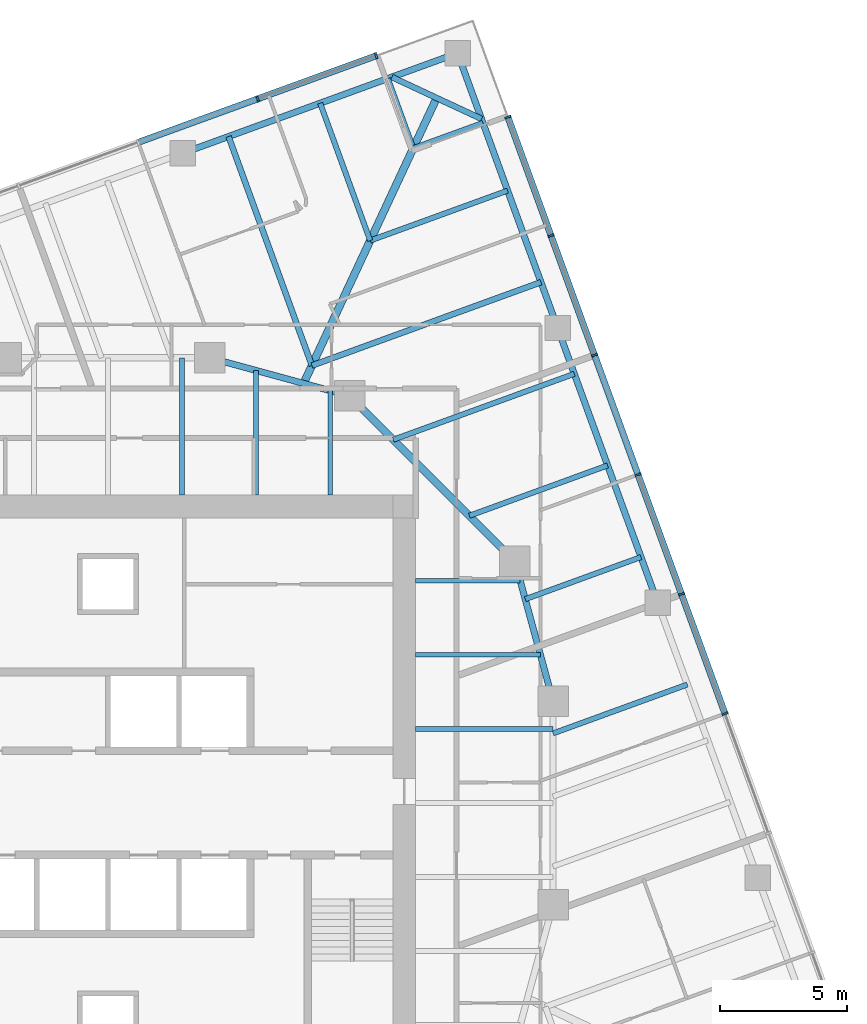
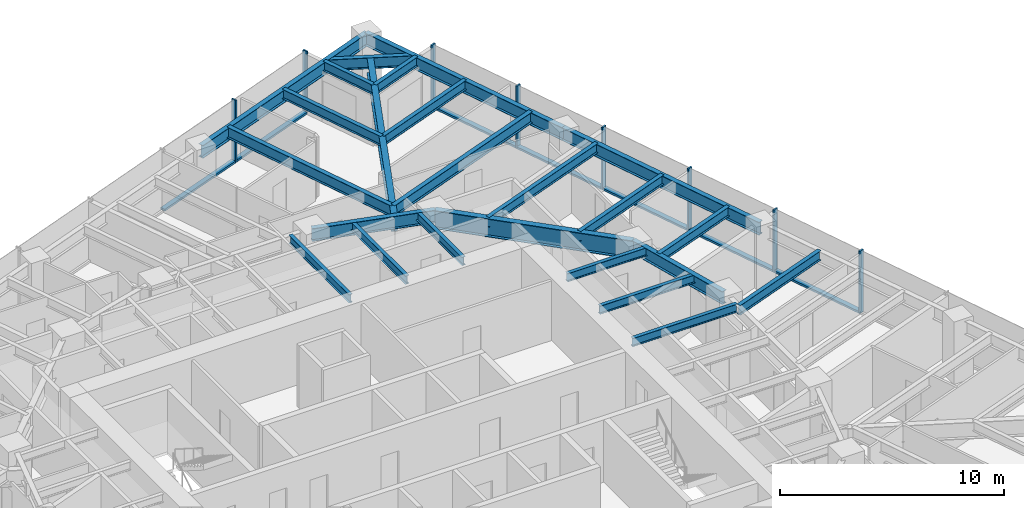
# One storey, part 5 of 13: 24 beams, 15 members, 2 elements without a shape of their own.
"""IFC4 building model written with IfcOpenShell, lengths in metres."""

from ifc_helpers import new_model, si_unit, direction, frame, origin, origin_2d, place, context, subcontext, project, spatial, rectangle, i_section, extrude, material, material_profile, profile_set, type_object, element, aggregate, save


model = new_model("IFC4")

# Units and contexts
model_context = context("Model", 3, precision=1e-05, world=origin(), true_north=direction((0.0, 1.0)))
body_context = subcontext(model_context, "Body", "Model", "MODEL_VIEW")
ifc_project = project(units=[si_unit("LENGTHUNIT", "METRE"), si_unit("AREAUNIT", "SQUARE_METRE"), si_unit("VOLUMEUNIT", "CUBIC_METRE"), si_unit("PLANEANGLEUNIT", "RADIAN"), si_unit("MASSUNIT", "GRAM", prefix="KILO")], contexts=[model_context])

# Site, building, storey
site_placement = place(None, origin())
site = spatial("IfcSite", under=ifc_project, at=site_placement, CompositionType="ELEMENT")
building_placement = place(site_placement, origin())
building = spatial("IfcBuilding", under=site, at=building_placement, Name="Torsade Residences", CompositionType="ELEMENT")
storey_placement = place(building_placement, frame((0.0, 0.0, 147.199951171875)))
storey = spatial("IfcBuildingStorey", under=building, at=storey_placement, Name="L40", CompositionType="ELEMENT", Elevation=147.199951171875)

# Beams
ifc_material_1 = material(Name="Steel grade 300", Category="steel")
ifc_material_profile_1 = material_profile(ifc_material_1, i_section(OverallWidth=0.300048828125, OverallDepth=0.89990234375, WebThickness=0.011962890625, FlangeThickness=0.02490234375, at=origin_2d()), Name="900WB175")
ifc_profile_set_1 = profile_set([ifc_material_profile_1], Name="Steel grade 300")
beam_type_1 = type_object("IfcBeamType", Name="CORNER GIRDER 900WB175", PredefinedType="BEAM", material=ifc_profile_set_1)
beam_1_placement = place(storey_placement, frame((52.924560546875, 57.717041015625, 2.800048828125), z_axis=(-0.422616712682, -0.906308509373, 0.0), x_axis=(0.906308509373, -0.422616712682, 0.0)))
element("IfcBeam", 1, at=beam_1_placement, inside=storey, type_object=beam_type_1, Name="Corner girder 09 L41", PredefinedType="BEAM", context=body_context, shape_type="SweptSolid", body=[
    extrude(i_section(OverallWidth=0.300048828125, OverallDepth=0.89990234375, WebThickness=0.011962890625, FlangeThickness=0.02490234375, at=origin_2d()), origin(), (0.0, 0.0, 1.0), 12.3837890625),
])
ifc_material_2 = material(Name="Steel grade 300", Category="steel")
ifc_material_profile_2 = material_profile(ifc_material_2, i_section(OverallWidth=0.22802734375, OverallDepth=0.60205078125, WebThickness=0.010498046875, FlangeThickness=0.014892578125, FilletRadius=0.013916015625, at=origin_2d()), Name="610UB101")
ifc_profile_set_2 = profile_set([ifc_material_profile_2], Name="Steel grade 300")
beam_type_2 = type_object("IfcBeamType", Name="CORNER TRIMMER 610UB101", PredefinedType="BEAM", material=ifc_profile_set_2)
beam_2_placement = place(storey_placement, frame((51.162353515625, 58.538818359375, 2.948974609375), z_axis=(0.906309798645, -0.422613947806, 0.0), x_axis=(0.422613947806, 0.906309798645, 0.0)))
element("IfcBeam", 2, at=beam_2_placement, inside=storey, type_object=beam_type_2, Name="Corner trimmer 09 L41", PredefinedType="BEAM", context=body_context, shape_type="SweptSolid", body=[
    extrude(i_section(OverallWidth=0.22802734375, OverallDepth=0.60205078125, WebThickness=0.010498046875, FlangeThickness=0.014892578125, FilletRadius=0.013916015625, at=origin_2d()), origin(), (0.0, 0.0, 1.0), 3.888916015625),
])
ifc_material_3 = material(Name="Steel grade 300", Category="steel")
ifc_material_profile_3 = material_profile(ifc_material_3, i_section(OverallWidth=0.25, OverallDepth=0.699951171875, WebThickness=0.010009765625, FlangeThickness=0.02001953125, at=origin_2d()), Name="700WB130")
ifc_profile_set_3 = profile_set([ifc_material_profile_3], Name="Steel grade 300")
beam_type_3 = type_object("IfcBeamType", Name="EDGE BEAM 700WB130", PredefinedType="SPANDREL", material=ifc_profile_set_3)
for number, where, z_axis, x_axis, name in (
    (3, (61.613037109375, 37.866455078125, 2.900146484375), (-0.342031119628, 0.939688625666, 0.0), (-0.939688625666, -0.342031119628, 0.0), "Edge beam 07 L41"),
    (4, (57.6796875, 48.6728515625, 2.900146484375), (-0.342005550448, 0.939697932031, 0.0), (-0.939697932031, -0.342005550448, 0.0), "Edge beam 08 L41"),
):
    element("IfcBeam", number, at=place(storey_placement, frame(where, z_axis=z_axis, x_axis=x_axis)), inside=storey, type_object=beam_type_3, Name=name, PredefinedType="SPANDREL", context=body_context, shape_type="SweptSolid", body=[
        extrude(i_section(OverallWidth=0.25, OverallDepth=0.699951171875, WebThickness=0.010009765625, FlangeThickness=0.02001953125, at=origin_2d()), origin(), (0.0, 0.0, 1.0), 11.5),
    ])
beam_3_placement = place(storey_placement, frame((53.74658203125, 59.4794921875, 2.900146484375), z_axis=(-0.93969110915, -0.342024296483, 0.0), x_axis=(0.342024296483, -0.93969110915, 0.0)))
element("IfcBeam", 5, at=beam_3_placement, inside=storey, type_object=beam_type_3, Name="Edge beam 09 L41", PredefinedType="SPANDREL", context=body_context, shape_type="SweptSolid", body=[
    extrude(i_section(OverallWidth=0.25, OverallDepth=0.699951171875, WebThickness=0.010009765625, FlangeThickness=0.02001953125, at=origin_2d()), origin(), (0.0, 0.0, 1.0), 11.500244140625),
])
ifc_material_4 = material(Name="Steel grade 300", Category="steel")
ifc_material_profile_4 = material_profile(ifc_material_4, i_section(OverallWidth=0.18994140625, OverallDepth=0.4541015625, WebThickness=0.008544921875, FlangeThickness=0.0126953125, FilletRadius=0.011474609375, at=origin_2d()), Name="460UB67.1")
ifc_profile_set_4 = profile_set([ifc_material_profile_4], Name="Steel grade 300")
beam_type_4 = type_object("IfcBeamType", Name="INNER FLOOR BEAM 460UB67.1", PredefinedType="JOIST", material=ifc_profile_set_4)
beam_4_placement = place(storey_placement, frame((42.91259765625, 42.10009765625, 3.02294921875), z_axis=(0.0, 1.0, 0.0), x_axis=(-1.0, 0.0, 0.0)))
element("IfcBeam", 6, at=beam_4_placement, inside=storey, type_object=beam_type_4, Name="Inner floor beam IN05 L41", PredefinedType="JOIST", context=body_context, shape_type="SweptSolid", body=[
    extrude(i_section(OverallWidth=0.18994140625, OverallDepth=0.4541015625, WebThickness=0.008544921875, FlangeThickness=0.0126953125, FilletRadius=0.011474609375, at=origin_2d()), origin(), (0.0, 0.0, 1.0), 5.39990234375),
])
beam_5_placement = place(storey_placement, frame((45.824951171875, 42.10009765625, 3.02294921875), z_axis=(0.0, 1.0, 0.0), x_axis=(-1.0, 0.0, 0.0)))
element("IfcBeam", 7, at=beam_5_placement, inside=storey, type_object=beam_type_4, Name="Inner floor beam IN06 L41", PredefinedType="JOIST", context=body_context, shape_type="SweptSolid", body=[
    extrude(i_section(OverallWidth=0.18994140625, OverallDepth=0.4541015625, WebThickness=0.008544921875, FlangeThickness=0.0126953125, FilletRadius=0.011474609375, at=origin_2d()), origin(), (0.0, 0.0, 1.0), 4.902099609375),
])
beam_6_placement = place(storey_placement, frame((48.737548828125, 42.10009765625, 3.02294921875), z_axis=(0.0, 1.0, 0.0), x_axis=(-1.0, 0.0, 0.0)))
element("IfcBeam", 8, at=beam_6_placement, inside=storey, type_object=beam_type_4, Name="Inner floor beam IN07 L41", PredefinedType="JOIST", context=body_context, shape_type="SweptSolid", body=[
    extrude(i_section(OverallWidth=0.18994140625, OverallDepth=0.4541015625, WebThickness=0.008544921875, FlangeThickness=0.0126953125, FilletRadius=0.011474609375, at=origin_2d()), origin(), (0.0, 0.0, 1.0), 4.10791015625),
])
beam_7_placement = place(storey_placement, frame((52.10009765625, 32.91259765625, 3.02294921875), z_axis=(1.0, 0.0, 0.0), x_axis=(0.0, 1.0, 0.0)))
element("IfcBeam", 9, at=beam_7_placement, inside=storey, type_object=beam_type_4, Name="Inner floor beam IE05 L41", PredefinedType="JOIST", context=body_context, shape_type="SweptSolid", body=[
    extrude(i_section(OverallWidth=0.18994140625, OverallDepth=0.4541015625, WebThickness=0.008544921875, FlangeThickness=0.0126953125, FilletRadius=0.011474609375, at=origin_2d()), origin(), (0.0, 0.0, 1.0), 5.39990234375),
])
beam_8_placement = place(storey_placement, frame((52.10009765625, 35.824951171875, 3.02294921875), z_axis=(1.0, 0.0, 0.0), x_axis=(0.0, 1.0, 0.0)))
element("IfcBeam", 10, at=beam_8_placement, inside=storey, type_object=beam_type_4, Name="Inner floor beam IE06 L41", PredefinedType="JOIST", context=body_context, shape_type="SweptSolid", body=[
    extrude(i_section(OverallWidth=0.18994140625, OverallDepth=0.4541015625, WebThickness=0.008544921875, FlangeThickness=0.0126953125, FilletRadius=0.011474609375, at=origin_2d()), origin(), (0.0, 0.0, 1.0), 4.902099609375),
])
beam_9_placement = place(storey_placement, frame((52.10009765625, 38.737548828125, 3.02294921875), z_axis=(1.0, 0.0, 0.0), x_axis=(0.0, 1.0, 0.0)))
element("IfcBeam", 11, at=beam_9_placement, inside=storey, type_object=beam_type_4, Name="Inner floor beam IE07 L41", PredefinedType="JOIST", context=body_context, shape_type="SweptSolid", body=[
    extrude(i_section(OverallWidth=0.18994140625, OverallDepth=0.4541015625, WebThickness=0.008544921875, FlangeThickness=0.0126953125, FilletRadius=0.011474609375, at=origin_2d()), origin(), (0.0, 0.0, 1.0), 4.10791015625),
])

# Curtain wall, members
ifc_material_5 = material(Name="Aluminium and glass", Category="aluminium")
curtain_wall_type = type_object("IfcCurtainWallType", Name="FRITTED GLASS CURTAIN WALL MID ZONE", PredefinedType="NOTDEFINED", material=ifc_material_5)
curtain_wall_1_placement = place(storey_placement, origin())
curtain_wall_1 = element("IfcCurtainWall", 12, at=curtain_wall_1_placement, inside=storey, type_object=curtain_wall_type, Name="Curtain wall L40 face 4", PredefinedType="NOTDEFINED")
ifc_material_6 = material(Name="Aluminium mullion", Category="aluminium")
ifc_material_profile_5 = material_profile(ifc_material_6, rectangle(XDim=0.25, YDim=0.080078125, at=origin_2d()), Name="MID ZONE CURTAIN WALL MULLION 250x80")
ifc_profile_set_5 = profile_set([ifc_material_profile_5], Name="Aluminium mullion")
member_type_1 = type_object("IfcMemberType", Name="MID ZONE CURTAIN WALL MULLION 250x80", PredefinedType="MULLION", material=ifc_profile_set_5)
member_1_placement = place(storey_placement, frame((64.2626953125, 33.510009765625, 0.0), z_axis=(0.0, 0.0, 1.0), x_axis=(-0.939692619132, -0.342020147869, 0.0)))
member_1 = element("IfcMember", 13, at=member_1_placement, type_object=member_type_1, Name="Mullion 4", PredefinedType="MULLION", context=body_context, shape_type="SweptSolid", body=[
    extrude(rectangle(XDim=0.25, YDim=0.080078125, at=origin_2d()), origin(), (0.0, 0.0, 1.0), 3.400146484375),
])
member_2_placement = place(storey_placement, frame((62.552734375, 38.20849609375, 0.0), z_axis=(0.0, 0.0, 1.0), x_axis=(-0.939692619132, -0.342020147869, 0.0)))
member_2 = element("IfcMember", 14, at=member_2_placement, type_object=member_type_1, Name="Mullion 5", PredefinedType="MULLION", context=body_context, shape_type="SweptSolid", body=[
    extrude(rectangle(XDim=0.25, YDim=0.080078125, at=origin_2d()), origin(), (0.0, 0.0, 1.0), 3.400146484375),
])
member_3_placement = place(storey_placement, frame((60.842529296875, 42.906982421875, 0.0), z_axis=(0.0, 0.0, 1.0), x_axis=(-0.939692619132, -0.342020147869, 0.0)))
member_3 = element("IfcMember", 15, at=member_3_placement, type_object=member_type_1, Name="Mullion 6", PredefinedType="MULLION", context=body_context, shape_type="SweptSolid", body=[
    extrude(rectangle(XDim=0.25, YDim=0.080078125, at=origin_2d()), origin(), (0.0, 0.0, 1.0), 3.400146484375),
])
member_4_placement = place(storey_placement, frame((59.13232421875, 47.60546875, 0.0), z_axis=(0.0, 0.0, 1.0), x_axis=(-0.939692619132, -0.342020147869, 0.0)))
member_4 = element("IfcMember", 16, at=member_4_placement, type_object=member_type_1, Name="Mullion 7", PredefinedType="MULLION", context=body_context, shape_type="SweptSolid", body=[
    extrude(rectangle(XDim=0.25, YDim=0.080078125, at=origin_2d()), origin(), (0.0, 0.0, 1.0), 3.400146484375),
])
member_5_placement = place(storey_placement, frame((57.42236328125, 52.303955078125, 0.0), z_axis=(0.0, 0.0, 1.0), x_axis=(-0.939692619132, -0.342020147869, 0.0)))
member_5 = element("IfcMember", 17, at=member_5_placement, type_object=member_type_1, Name="Mullion 8", PredefinedType="MULLION", context=body_context, shape_type="SweptSolid", body=[
    extrude(rectangle(XDim=0.25, YDim=0.080078125, at=origin_2d()), origin(), (0.0, 0.0, 1.0), 3.400146484375),
])
member_6_placement = place(storey_placement, frame((55.725830078125, 56.96484375, 0.0), z_axis=(0.0, 0.0, 1.0), x_axis=(-0.939692619132, -0.342020147869, 0.0)))
member_6 = element("IfcMember", 18, at=member_6_placement, type_object=member_type_1, Name="Mullion 9", PredefinedType="MULLION", context=body_context, shape_type="SweptSolid", body=[
    extrude(rectangle(XDim=0.25, YDim=0.080078125, at=origin_2d()), origin(), (0.0, 0.0, 1.0), 3.400146484375),
])

curtain_wall_2_placement = place(storey_placement, origin())
curtain_wall_2 = element("IfcCurtainWall", 19, at=curtain_wall_2_placement, inside=storey, type_object=curtain_wall_type, Name="Curtain wall L40 face 7", PredefinedType="NOTDEFINED")
member_7_placement = place(storey_placement, frame((50.5478515625, 59.37939453125, 0.0), z_axis=(0.0, 0.0, 1.0), x_axis=(0.342020147869, -0.939692619132, 0.0)))
member_7 = element("IfcMember", 20, at=member_7_placement, type_object=member_type_1, Name="Mullion 1", PredefinedType="MULLION", context=body_context, shape_type="SweptSolid", body=[
    extrude(rectangle(XDim=0.25, YDim=0.080078125, at=origin_2d()), origin(), (0.0, 0.0, 1.0), 3.400146484375),
])
member_8_placement = place(storey_placement, frame((45.886962890625, 57.682861328125, 0.0), z_axis=(0.0, 0.0, 1.0), x_axis=(0.342020147869, -0.939692619132, 0.0)))
member_8 = element("IfcMember", 21, at=member_8_placement, type_object=member_type_1, Name="Mullion 2", PredefinedType="MULLION", context=body_context, shape_type="SweptSolid", body=[
    extrude(rectangle(XDim=0.25, YDim=0.080078125, at=origin_2d()), origin(), (0.0, 0.0, 1.0), 3.400146484375),
])

# Member
ifc_material_7 = material(Name="Aluminium transom", Category="aluminium")
ifc_material_profile_6 = material_profile(ifc_material_7, rectangle(XDim=0.25, YDim=0.110107421875, at=origin_2d()), Name="MID ZONE CURTAIN WALL TRANSOM 250x110")
ifc_profile_set_6 = profile_set([ifc_material_profile_6], Name="Aluminium transom")
member_type_2 = type_object("IfcMemberType", Name="MID ZONE CURTAIN WALL TRANSOM 250x110", PredefinedType="USERDEFINED", material=ifc_profile_set_6)
member_9_placement = place(storey_placement, frame((64.2490234375, 33.547607421875, 0.054931640625), z_axis=(-0.341998044792, 0.9397006637, 0.0), x_axis=(-0.9397006637, -0.341998044792, 0.0)))
member_9 = element("IfcMember", 22, at=member_9_placement, type_object=member_type_2, Name="Transom 4.1", ObjectType="TRANSOM", PredefinedType="USERDEFINED", context=body_context, shape_type="SweptSolid", body=[
    extrude(rectangle(XDim=0.25, YDim=0.110107421875, at=origin_2d()), origin(), (0.0, 0.0, 1.0), 4.919921875),
])

member_10_placement = place(storey_placement, frame((62.5390625, 38.24609375, 0.054931640625), z_axis=(-0.342041862168, 0.93968471549, 0.0), x_axis=(-0.93968471549, -0.342041862168, 0.0)))
member_10 = element("IfcMember", 23, at=member_10_placement, type_object=member_type_2, Name="Transom 5.1", ObjectType="TRANSOM", PredefinedType="USERDEFINED", context=body_context, shape_type="SweptSolid", body=[
    extrude(rectangle(XDim=0.25, YDim=0.110107421875, at=origin_2d()), origin(), (0.0, 0.0, 1.0), 4.920166015625),
])

member_11_placement = place(storey_placement, frame((60.828857421875, 42.944580078125, 0.054931640625), z_axis=(-0.342041862168, 0.93968471549, 0.0), x_axis=(-0.93968471549, -0.342041862168, 0.0)))
member_11 = element("IfcMember", 24, at=member_11_placement, type_object=member_type_2, Name="Transom 6.1", ObjectType="TRANSOM", PredefinedType="USERDEFINED", context=body_context, shape_type="SweptSolid", body=[
    extrude(rectangle(XDim=0.25, YDim=0.110107421875, at=origin_2d()), origin(), (0.0, 0.0, 1.0), 4.920166015625),
])

member_12_placement = place(storey_placement, frame((59.11865234375, 47.64306640625, 0.054931640625), z_axis=(-0.341998044792, 0.9397006637, 0.0), x_axis=(-0.9397006637, -0.341998044792, 0.0)))
member_12 = element("IfcMember", 25, at=member_12_placement, type_object=member_type_2, Name="Transom 7.1", ObjectType="TRANSOM", PredefinedType="USERDEFINED", context=body_context, shape_type="SweptSolid", body=[
    extrude(rectangle(XDim=0.25, YDim=0.110107421875, at=origin_2d()), origin(), (0.0, 0.0, 1.0), 4.919921875),
])

member_13_placement = place(storey_placement, frame((57.40869140625, 52.341552734375, 0.054931640625), z_axis=(-0.342044311564, 0.939683823915, 0.0), x_axis=(-0.939683823915, -0.342044311564, 0.0)))
member_13 = element("IfcMember", 26, at=member_13_placement, type_object=member_type_2, Name="Transom 8.1", ObjectType="TRANSOM", PredefinedType="USERDEFINED", context=body_context, shape_type="SweptSolid", body=[
    extrude(rectangle(XDim=0.25, YDim=0.110107421875, at=origin_2d()), origin(), (0.0, 0.0, 1.0), 4.880126953125),
])

aggregate(curtain_wall_1, [member_1, member_2, member_3, member_4, member_5, member_6, member_9, member_10, member_11, member_12, member_13])

member_14_placement = place(storey_placement, frame((50.51025390625, 59.36572265625, 0.054931640625), z_axis=(-0.939683823915, -0.342044311564, 0.0), x_axis=(0.342044311564, -0.939683823915, 0.0)))
member_14 = element("IfcMember", 27, at=member_14_placement, type_object=member_type_2, Name="Transom 1.1", ObjectType="TRANSOM", PredefinedType="USERDEFINED", context=body_context, shape_type="SweptSolid", body=[
    extrude(rectangle(XDim=0.25, YDim=0.110107421875, at=origin_2d()), origin(), (0.0, 0.0, 1.0), 4.880126953125),
])

member_15_placement = place(storey_placement, frame((45.849365234375, 57.669189453125, 0.054931640625), z_axis=(-0.9397006637, -0.341998044792, 0.0), x_axis=(0.341998044792, -0.9397006637, 0.0)))
member_15 = element("IfcMember", 28, at=member_15_placement, type_object=member_type_2, Name="Transom 2.1", ObjectType="TRANSOM", PredefinedType="USERDEFINED", context=body_context, shape_type="SweptSolid", body=[
    extrude(rectangle(XDim=0.25, YDim=0.110107421875, at=origin_2d()), origin(), (0.0, 0.0, 1.0), 4.919921875),
])

aggregate(curtain_wall_2, [member_7, member_8, member_14, member_15])

# Beams
ifc_material_8 = material(Name="Steel grade 300", Category="steel")
ifc_material_profile_7 = material_profile(ifc_material_8, i_section(OverallWidth=0.300048828125, OverallDepth=1.0, WebThickness=0.01611328125, FlangeThickness=0.028076171875, at=origin_2d()), Name="1000WB215")
ifc_profile_set_7 = profile_set([ifc_material_profile_7], Name="Steel grade 300")
beam_type_5 = type_object("IfcBeamType", Name="RING CORNER GIRDER 1000WB215", PredefinedType="BEAM", material=ifc_profile_set_7)
beam_10_placement = place(storey_placement, frame((56.0, 39.5, 2.75), z_axis=(-0.707106781187, 0.707106781187, 0.0), x_axis=(-0.707106781187, -0.707106781187, 0.0)))
element("IfcBeam", 29, at=beam_10_placement, inside=storey, type_object=beam_type_5, Name="Ring girder IR03 L41", PredefinedType="BEAM", context=body_context, shape_type="SweptSolid", body=[
    extrude(i_section(OverallWidth=0.300048828125, OverallDepth=1.0, WebThickness=0.01611328125, FlangeThickness=0.028076171875, at=origin_2d()), origin(), (0.0, 0.0, 1.0), 9.1923828125),
])
ifc_material_9 = material(Name="Steel grade 300", Category="steel")
ifc_material_profile_8 = material_profile(ifc_material_9, i_section(OverallWidth=0.25, OverallDepth=0.699951171875, WebThickness=0.010009765625, FlangeThickness=0.02001953125, at=origin_2d()), Name="700WB130")
ifc_profile_set_8 = profile_set([ifc_material_profile_8], Name="Steel grade 300")
beam_type_6 = type_object("IfcBeamType", Name="RING GIRDER 700WB130", PredefinedType="BEAM", material=ifc_profile_set_8)
for number, where, z_axis, x_axis, name in (
    (30, (57.5, 34.0, 2.900146484375), (-0.263117405792, 0.964763821238, 0.0), (-0.964763821238, -0.263117405792, 0.0), "Ring girder IR02 L41"),
    (31, (49.5, 46.0, 2.900146484375), (-0.964763821238, 0.263117405792, 0.0), (-0.263117405792, -0.964763821238, 0.0), "Ring girder IR04 L41"),
):
    element("IfcBeam", number, at=place(storey_placement, frame(where, z_axis=z_axis, x_axis=x_axis)), inside=storey, type_object=beam_type_6, Name=name, PredefinedType="BEAM", context=body_context, shape_type="SweptSolid", body=[
        extrude(i_section(OverallWidth=0.25, OverallDepth=0.699951171875, WebThickness=0.010009765625, FlangeThickness=0.02001953125, at=origin_2d()), origin(), (0.0, 0.0, 1.0), 5.700927734375),
    ])
ifc_material_10 = material(Name="Steel grade 300", Category="steel")
ifc_material_profile_9 = material_profile(ifc_material_10, i_section(OverallWidth=0.208984375, OverallDepth=0.528076171875, WebThickness=0.009521484375, FlangeThickness=0.01318359375, FilletRadius=0.013916015625, at=origin_2d()), Name="530UB82.0")
ifc_profile_set_9 = profile_set([ifc_material_profile_9], Name="Steel grade 300")
beam_type_7 = type_object("IfcBeamType", Name="SECONDARY BEAM 530UB82.0", PredefinedType="JOIST", material=ifc_profile_set_9)
beam_11_placement = place(storey_placement, frame((62.781494140625, 34.65576171875, 2.986083984375), z_axis=(-0.939703343336, -0.341990681925, 0.0), x_axis=(0.341990681925, -0.939703343336, 0.0)))
element("IfcBeam", 32, at=beam_11_placement, inside=storey, type_object=beam_type_7, Name="Floor beam FE06 L41", PredefinedType="JOIST", context=body_context, shape_type="SweptSolid", body=[
    extrude(i_section(OverallWidth=0.208984375, OverallDepth=0.528076171875, WebThickness=0.009521484375, FlangeThickness=0.01318359375, FilletRadius=0.013916015625, at=origin_2d()), origin(), (0.0, 0.0, 1.0), 5.620361328125),
])
beam_12_placement = place(storey_placement, frame((60.957275390625, 39.66748046875, 2.986083984375), z_axis=(-0.939694777187, -0.342014218604, 0.0), x_axis=(0.342014218604, -0.939694777187, 0.0)))
element("IfcBeam", 33, at=beam_12_placement, inside=storey, type_object=beam_type_7, Name="Floor beam FE07 L41", PredefinedType="JOIST", context=body_context, shape_type="SweptSolid", body=[
    extrude(i_section(OverallWidth=0.208984375, OverallDepth=0.528076171875, WebThickness=0.009521484375, FlangeThickness=0.01318359375, FilletRadius=0.013916015625, at=origin_2d()), origin(), (0.0, 0.0, 1.0), 4.84326171875),
])
beam_13_placement = place(storey_placement, frame((59.646240234375, 43.269775390625, 2.986083984375), z_axis=(-0.939687428295, -0.342034409239, 0.0), x_axis=(0.342034409239, -0.939687428295, 0.0)))
element("IfcBeam", 34, at=beam_13_placement, inside=storey, type_object=beam_type_7, Name="Floor beam FE08 L41", PredefinedType="JOIST", context=body_context, shape_type="SweptSolid", body=[
    extrude(i_section(OverallWidth=0.208984375, OverallDepth=0.528076171875, WebThickness=0.009521484375, FlangeThickness=0.01318359375, FilletRadius=0.013916015625, at=origin_2d()), origin(), (0.0, 0.0, 1.0), 5.785888671875),
])
beam_14_placement = place(storey_placement, frame((58.335205078125, 46.871826171875, 2.986083984375), z_axis=(-0.939689847531, -0.342027762686, 0.0), x_axis=(0.342027762686, -0.939689847531, 0.0)))
element("IfcBeam", 35, at=beam_14_placement, inside=storey, type_object=beam_type_7, Name="Floor beam FE09 L41", PredefinedType="JOIST", context=body_context, shape_type="SweptSolid", body=[
    extrude(i_section(OverallWidth=0.208984375, OverallDepth=0.528076171875, WebThickness=0.009521484375, FlangeThickness=0.01318359375, FilletRadius=0.013916015625, at=origin_2d()), origin(), (0.0, 0.0, 1.0), 7.573486328125),
])
beam_15_placement = place(storey_placement, frame((55.713134765625, 54.076171875, 2.986083984375), z_axis=(-0.939697932031, -0.342005550448, 0.0), x_axis=(0.342005550448, -0.939697932031, 0.0)))
element("IfcBeam", 36, at=beam_15_placement, inside=storey, type_object=beam_type_7, Name="Floor beam FE11 L41", PredefinedType="JOIST", context=body_context, shape_type="SweptSolid", body=[
    extrude(i_section(OverallWidth=0.208984375, OverallDepth=0.528076171875, WebThickness=0.009521484375, FlangeThickness=0.01318359375, FilletRadius=0.013916015625, at=origin_2d()), origin(), (0.0, 0.0, 1.0), 5.75),
])
for number, where, z_axis, x_axis, name in (
    (37, (54.744140625, 56.738525390625, 2.986083984375), (-0.939700524495, -0.341998427281, 0.0), (0.341998427281, -0.939700524495, 0.0), "Floor beam FE12 L41"),
    (38, (51.005615234375, 58.48193359375, 2.986083984375), (0.341998427281, -0.939700524495, 0.0), (0.939700524495, 0.341998427281, 0.0), "Floor beam FN01 L41"),
):
    element("IfcBeam", number, at=place(storey_placement, frame(where, z_axis=z_axis, x_axis=x_axis)), inside=storey, type_object=beam_type_7, Name=name, PredefinedType="JOIST", context=body_context, shape_type="SweptSolid", body=[
        extrude(i_section(OverallWidth=0.208984375, OverallDepth=0.528076171875, WebThickness=0.009521484375, FlangeThickness=0.01318359375, FilletRadius=0.013916015625, at=origin_2d()), origin(), (0.0, 0.0, 1.0), 2.916748046875),
    ])
beam_16_placement = place(storey_placement, frame((48.34326171875, 57.5126953125, 2.986083984375), z_axis=(0.342019196443, -0.939692965423, 0.0), x_axis=(0.939692965423, 0.342019196443, 0.0)))
element("IfcBeam", 39, at=beam_16_placement, inside=storey, type_object=beam_type_7, Name="Floor beam FN02 L41", PredefinedType="JOIST", context=body_context, shape_type="SweptSolid", body=[
    extrude(i_section(OverallWidth=0.208984375, OverallDepth=0.528076171875, WebThickness=0.009521484375, FlangeThickness=0.01318359375, FilletRadius=0.013916015625, at=origin_2d()), origin(), (0.0, 0.0, 1.0), 5.749755859375),
])
ifc_material_11 = material(Name="Steel grade 300", Category="steel")
ifc_material_profile_10 = material_profile(ifc_material_11, i_section(OverallWidth=0.22900390625, OverallDepth=0.612060546875, WebThickness=0.011962890625, FlangeThickness=0.01953125, FilletRadius=0.013916015625, at=origin_2d()), Name="610UB125")
ifc_profile_set_10 = profile_set([ifc_material_profile_10], Name="Steel grade 300")
beam_type_8 = type_object("IfcBeamType", Name="SECONDARY BEAM 610UB125", PredefinedType="JOIST", material=ifc_profile_set_10)
for number, where, z_axis, x_axis, name in (
    (40, (57.024169921875, 50.47412109375, 2.944091796875), (-0.939687757725, -0.342033504181, 0.0), (0.342033504181, -0.939687757725, 0.0), "Floor beam FE10 L41"),
    (41, (44.740966796875, 56.20166015625, 2.944091796875), (0.342033504181, -0.939687757725, 0.0), (0.939687757725, 0.342033504181, 0.0), "Floor beam FN03 L41"),
):
    element("IfcBeam", number, at=place(storey_placement, frame(where, z_axis=z_axis, x_axis=x_axis)), inside=storey, type_object=beam_type_8, Name=name, PredefinedType="JOIST", context=body_context, shape_type="SweptSolid", body=[
        extrude(i_section(OverallWidth=0.22900390625, OverallDepth=0.612060546875, WebThickness=0.011962890625, FlangeThickness=0.01953125, FilletRadius=0.013916015625, at=origin_2d()), origin(), (0.0, 0.0, 1.0), 9.583251953125),
    ])

save(model, "model.ifc")
